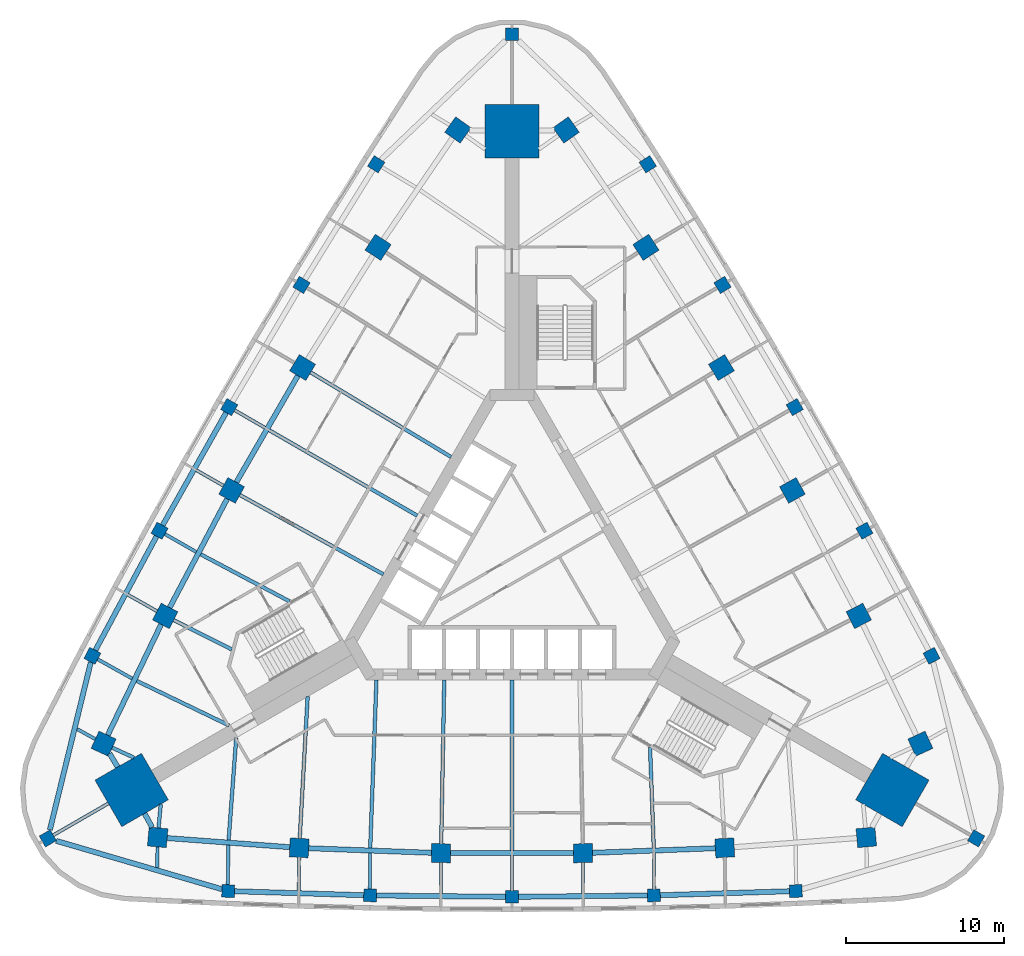
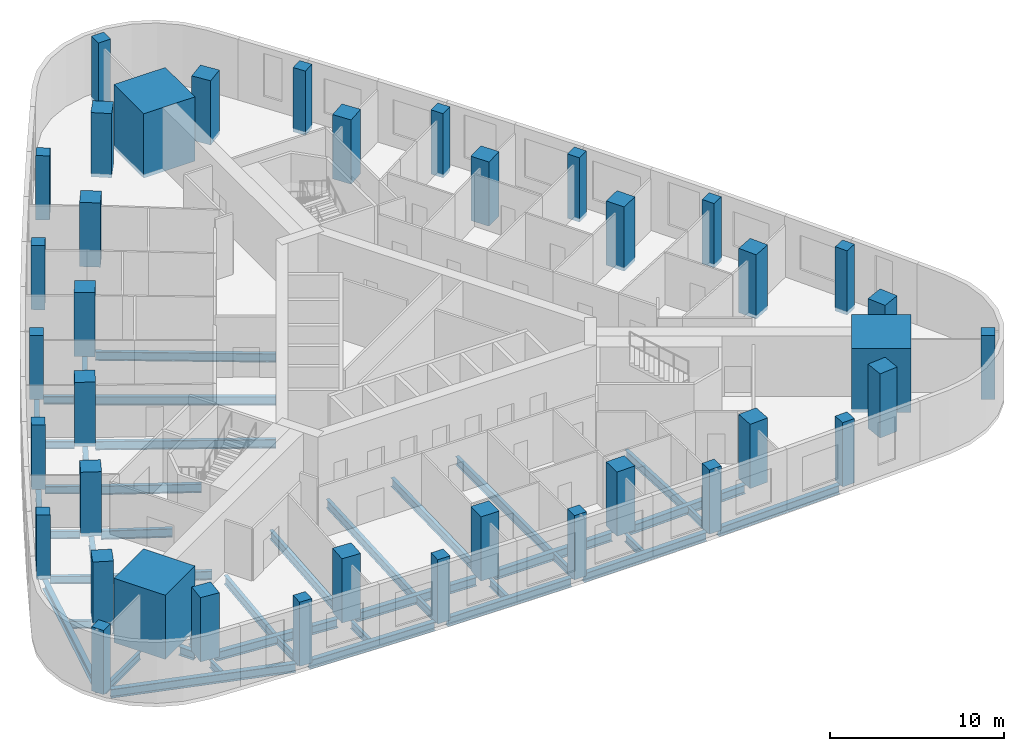
# One storey, part 1 of 11: 46 beams, 39 columns.
"""IFC4 building model written with IfcOpenShell, lengths in metres."""

from ifc_helpers import new_model, si_unit, direction, frame, origin, origin_2d, place, context, subcontext, project, spatial, rectangle, i_section, extrude, material, material_profile, profile_set, type_object, element, save


model = new_model("IFC4")

# Units and contexts
model_context = context("Model", 3, precision=1e-05, world=origin(), true_north=direction((0.0, 1.0)))
body_context = subcontext(model_context, "Body", "Model", "MODEL_VIEW")
ifc_project = project(units=[si_unit("LENGTHUNIT", "METRE"), si_unit("AREAUNIT", "SQUARE_METRE"), si_unit("VOLUMEUNIT", "CUBIC_METRE"), si_unit("PLANEANGLEUNIT", "RADIAN"), si_unit("MASSUNIT", "GRAM", prefix="KILO")], contexts=[model_context])

# Site, building, storey
site_placement = place(None, origin())
site = spatial("IfcSite", under=ifc_project, at=site_placement, CompositionType="ELEMENT")
building_placement = place(site_placement, origin())
building = spatial("IfcBuilding", under=site, at=building_placement, Name="Noor Cloister Tower", CompositionType="ELEMENT")
storey_placement = place(building_placement, frame((0.0, 0.0, 10.5)))
storey = spatial("IfcBuildingStorey", under=building, at=storey_placement, Name="L02", CompositionType="ELEMENT", Elevation=10.5)

# Columns
ifc_material_1 = material(Name="Concrete C80/95", Category="concrete")
ifc_material_profile_1 = material_profile(ifc_material_1, rectangle(XDim=3.39990234375, YDim=3.39990234375, at=origin_2d()), Name="RC 3400x3400")
ifc_profile_set_1 = profile_set([ifc_material_profile_1], Name="Concrete C80/95")
column_type_1 = type_object("IfcColumnType", Name="Corner pier 3400 x 3400 C80/95", PredefinedType="COLUMN", material=ifc_profile_set_1)
for number, where, z_axis, x_axis, name in (
    (1, (0.0, 27.7890625, -0.25), (0.0, 0.0, 1.0), (0.0, 1.0, 0.0), "Corner pier N L02"),
    (2, (-24.06591796875, -13.89453125, -0.25), (0.0, 0.0, 1.0), (-0.866025403784, -0.5, 0.0), "Corner pier SW L02"),
    (3, (24.06591796875, -13.89453125, -0.25), (0.0, 0.0, 1.0), (0.866025403784, -0.5, 0.0), "Corner pier SE L02"),
):
    element("IfcColumn", number, at=place(storey_placement, frame(where, z_axis=z_axis, x_axis=x_axis)), inside=storey, type_object=column_type_1, Name=name, PredefinedType="COLUMN", context=body_context, shape_type="SweptSolid", body=[
        extrude(rectangle(XDim=3.39990234375, YDim=3.39990234375, at=origin_2d()), origin(), (0.0, 0.0, 1.0), 4.5),
    ])
ifc_material_2 = material(Name="Concrete C80/95", Category="concrete")
ifc_material_profile_2 = material_profile(ifc_material_2, rectangle(XDim=1.199951171875, YDim=1.199951171875, at=origin_2d()), Name="Podium column 1200")
ifc_profile_set_2 = profile_set([ifc_material_profile_2], Name="Concrete C80/95")
column_type_2 = type_object("IfcColumnType", Name="Podium column 1200", PredefinedType="COLUMN", material=ifc_profile_set_2)
for number, where, z_axis, x_axis, name in (
    (4, (-3.421142578125, 27.85986328125, -0.25), (0.0, 0.0, 1.0), (-0.815983256934, 0.578075535205, 0.0), "Column NW 00"),
    (5, (-8.474853515625, 20.43798828125, -0.25), (0.0, 0.0, 1.0), (-0.836867705394, 0.547405191489, 0.0), "Column NW 02"),
    (6, (-13.249755859375, 12.833740234375, -0.25), (0.0, 0.0, 1.0), (-0.856599929156, 0.515981163775, 0.0), "Column NW 04"),
    (7, (-17.7392578125, 5.0576171875, -0.25), (0.0, 0.0, 1.0), (-0.875152760281, 0.483846717641, 0.0), "Column NW 06"),
    (8, (-21.937255859375, -2.879638671875, -0.25), (0.0, 0.0, 1.0), (-0.89250065469, 0.451046096733, 0.0), "Column NW 08"),
    (9, (-25.837890625, -10.96728515625, -0.25), (0.0, 0.0, 1.0), (-0.908619727261, 0.417624461966, 0.0), "Column NW 10"),
    (10, (-22.416748046875, -16.892578125, -0.25), (0.0, 0.0, 1.0), (-0.092636470327, -0.995699997171, 0.0), "Column S 00"),
    (11, (-13.46240234375, -17.558349609375, -0.25), (0.0, 0.0, 1.0), (-0.055632949296, -0.998451288222, 0.0), "Column S 02"),
    (12, (-4.489501953125, -17.8916015625, -0.25), (0.0, 0.0, 1.0), (-0.018552831126, -0.999827881416, 0.0), "Column S 04"),
    (13, (4.489501953125, -17.8916015625, -0.25), (0.0, 0.0, 1.0), (0.018552831126, -0.999827881416, 0.0), "Column S 06"),
    (14, (13.46240234375, -17.558349609375, -0.25), (0.0, 0.0, 1.0), (0.055632949296, -0.998451288222, 0.0), "Column S 08"),
    (15, (22.416748046875, -16.892578125, -0.25), (0.0, 0.0, 1.0), (0.092636470327, -0.995699997171, 0.0), "Column S 10"),
    (16, (25.837890625, -10.96728515625, -0.25), (0.0, 0.0, 1.0), (0.908619727261, 0.417624461966, 0.0), "Column NE 00"),
    (17, (21.937255859375, -2.879638671875, -0.25), (0.0, 0.0, 1.0), (0.89250065469, 0.451046096733, 0.0), "Column NE 02"),
    (18, (17.7392578125, 5.0576171875, -0.25), (0.0, 0.0, 1.0), (0.875152760281, 0.483846717641, 0.0), "Column NE 04"),
    (19, (13.249755859375, 12.833740234375, -0.25), (0.0, 0.0, 1.0), (0.856599929156, 0.515981163775, 0.0), "Column NE 06"),
    (20, (8.474853515625, 20.43798828125, -0.25), (0.0, 0.0, 1.0), (0.836867705394, 0.547405191489, 0.0), "Column NE 08"),
    (21, (3.421142578125, 27.85986328125, -0.25), (0.0, 0.0, 1.0), (0.815983256934, 0.578075535205, 0.0), "Column NE 10"),
):
    element("IfcColumn", number, at=place(storey_placement, frame(where, z_axis=z_axis, x_axis=x_axis)), inside=storey, type_object=column_type_2, Name=name, PredefinedType="COLUMN", context=body_context, shape_type="SweptSolid", body=[
        extrude(rectangle(XDim=1.199951171875, YDim=1.199951171875, at=origin_2d()), origin(), (0.0, 0.0, 1.0), 4.5),
    ])
ifc_material_3 = material(Name="Concrete C60/75", Category="concrete")
ifc_material_profile_3 = material_profile(ifc_material_3, rectangle(XDim=0.800048828125, YDim=0.800048828125, at=origin_2d()), Name="Podium column 800")
ifc_profile_set_3 = profile_set([ifc_material_profile_3], Name="Concrete C60/75")
column_type_3 = type_object("IfcColumnType", Name="Podium column 800", PredefinedType="COLUMN", material=ifc_profile_set_3)
for number, where, z_axis, x_axis, name in (
    (22, (0.0, 33.9130859375, -0.25), (0.0, 0.0, 1.0), (0.0, 1.0, 0.0), "Perimeter column N"),
    (23, (-8.59228515625, 25.694580078125, -0.25), (0.0, 0.0, 1.0), (-0.844762079338, 0.535142064607, 0.0), "Perimeter column NW 01"),
    (24, (-13.31982421875, 18.059326171875, -0.25), (0.0, 0.0, 1.0), (-0.855574189811, 0.517680215702, 0.0), "Perimeter column NW 03"),
    (25, (-17.8896484375, 10.32861328125, -0.25), (0.0, 0.0, 1.0), (-0.866025403784, 0.5, 0.0), "Perimeter column NW 05"),
    (26, (-22.2998046875, 2.505615234375, -0.25), (0.0, 0.0, 1.0), (-0.87611131274, 0.482108875348, 0.0), "Perimeter column NW 07"),
    (27, (-26.54833984375, -5.406005859375, -0.25), (0.0, 0.0, 1.0), (-0.885827662253, 0.464014388557, 0.0), "Perimeter column NW 09"),
    (28, (-29.36962890625, -16.95654296875, -0.25), (0.0, 0.0, 1.0), (-0.866025403784, -0.5, 0.0), "Perimeter column SW"),
    (29, (-17.955810546875, -20.288330078125, -0.25), (0.0, 0.0, 1.0), (-0.041065582914, -0.999156453164, 0.0), "Perimeter column S 01"),
    (30, (-8.979736328125, -20.56494140625, -0.25), (0.0, 0.0, 1.0), (-0.020537122929, -0.99978909105, 0.0), "Perimeter column S 03"),
    (31, (0.0, -20.6572265625, -0.25), (0.0, 0.0, 1.0), (0.0, -1.0, 0.0), "Perimeter column S 05"),
    (32, (8.979736328125, -20.56494140625, -0.25), (0.0, 0.0, 1.0), (0.020537122929, -0.99978909105, 0.0), "Perimeter column S 07"),
    (33, (17.955810546875, -20.288330078125, -0.25), (0.0, 0.0, 1.0), (0.041065582914, -0.999156453164, 0.0), "Perimeter column S 09"),
    (34, (29.36962890625, -16.95654296875, -0.25), (0.0, 0.0, 1.0), (0.866025403784, -0.5, 0.0), "Perimeter column SE"),
    (35, (26.54833984375, -5.406005859375, -0.25), (0.0, 0.0, 1.0), (0.885827662253, 0.464014388557, 0.0), "Perimeter column NE 01"),
    (36, (22.2998046875, 2.505615234375, -0.25), (0.0, 0.0, 1.0), (0.87611131274, 0.482108875348, 0.0), "Perimeter column NE 03"),
    (37, (17.8896484375, 10.32861328125, -0.25), (0.0, 0.0, 1.0), (0.866025403784, 0.5, 0.0), "Perimeter column NE 05"),
    (38, (13.31982421875, 18.059326171875, -0.25), (0.0, 0.0, 1.0), (0.855574189811, 0.517680215702, 0.0), "Perimeter column NE 07"),
    (39, (8.59228515625, 25.694580078125, -0.25), (0.0, 0.0, 1.0), (0.844762079338, 0.535142064607, 0.0), "Perimeter column NE 09"),
):
    element("IfcColumn", number, at=place(storey_placement, frame(where, z_axis=z_axis, x_axis=x_axis)), inside=storey, type_object=column_type_3, Name=name, PredefinedType="COLUMN", context=body_context, shape_type="SweptSolid", body=[
        extrude(rectangle(XDim=0.800048828125, YDim=0.800048828125, at=origin_2d()), origin(), (0.0, 0.0, 1.0), 4.5),
    ])

# Beams
ifc_material_4 = material(Name="Steel ASTM A992 Gr 50", Category="steel")
ifc_material_profile_4 = material_profile(ifc_material_4, i_section(OverallWidth=0.324951171875, OverallDepth=0.612060546875, WebThickness=0.0126953125, FlangeThickness=0.01904296875, FilletRadius=0.0126953125, at=origin_2d()), Name="W610x155")
ifc_profile_set_4 = profile_set([ifc_material_profile_4], Name="Steel ASTM A992 Gr 50")
beam_type_1 = type_object("IfcBeamType", Name="Podium column line beam W610x155", PredefinedType="BEAM", material=ifc_profile_set_4)
beam_1_placement = place(storey_placement, frame((-13.5498046875, 12.314208984375, -0.555908203125), z_axis=(-0.499990506207, -0.866030884959, 0.0), x_axis=(0.866030884959, -0.499990506207, 0.0)))
element("IfcBeam", 40, at=beam_1_placement, inside=storey, type_object=beam_type_1, Name="Podium column line beam NW 04 L02", PredefinedType="BEAM", context=body_context, shape_type="SweptSolid", body=[
    extrude(i_section(OverallWidth=0.324951171875, OverallDepth=0.612060546875, WebThickness=0.0126953125, FlangeThickness=0.01904296875, FilletRadius=0.0126953125, at=origin_2d()), origin(), (0.0, 0.0, 1.0), 7.779052734375),
])
for number, where, z_axis, x_axis, name in (
    (41, (-18.019775390625, 4.527099609375, -0.555908203125), (-0.467547366886, -0.883968019624, 0.0), (0.883968019624, -0.467547366886, 0.0), "Podium column line beam NW 06 L02"),
    (42, (-22.197998046875, -3.420166015625, -0.555908203125), (-0.434400589533, -0.900719783181, 0.0), (0.900719783181, -0.434400589533, 0.0), "Podium column line beam NW 08 L02"),
):
    element("IfcBeam", number, at=place(storey_placement, frame(where, z_axis=z_axis, x_axis=x_axis)), inside=storey, type_object=beam_type_1, Name=name, PredefinedType="BEAM", context=body_context, shape_type="SweptSolid", body=[
        extrude(i_section(OverallWidth=0.324951171875, OverallDepth=0.612060546875, WebThickness=0.0126953125, FlangeThickness=0.01904296875, FilletRadius=0.0126953125, at=origin_2d()), origin(), (0.0, 0.0, 1.0), 7.77880859375),
    ])
for number, where, z_axis, x_axis, name in (
    (43, (-21.818359375, -16.93701171875, -0.555908203125), (0.997246218275, -0.074161850945, 0.0), (0.074161850945, 0.997246218275, 0.0), "Podium column line beam S 00 L02"),
    (44, (-12.86279296875, -17.58056640625, -0.555908203125), (0.999311691731, -0.037096398343, 0.0), (0.037096398343, 0.999311691731, 0.0), "Podium column line beam S 02 L02"),
):
    element("IfcBeam", number, at=place(storey_placement, frame(where, z_axis=z_axis, x_axis=x_axis)), inside=storey, type_object=beam_type_1, Name=name, PredefinedType="BEAM", context=body_context, shape_type="SweptSolid", body=[
        extrude(i_section(OverallWidth=0.324951171875, OverallDepth=0.612060546875, WebThickness=0.0126953125, FlangeThickness=0.01904296875, FilletRadius=0.0126953125, at=origin_2d()), origin(), (0.0, 0.0, 1.0), 7.779052734375),
    ])
beam_2_placement = place(storey_placement, frame((-3.889404296875, -17.8916015625, -0.555908203125), z_axis=(1.0, 0.0, 0.0), x_axis=(0.0, 1.0, 0.0)))
element("IfcBeam", 45, at=beam_2_placement, inside=storey, type_object=beam_type_1, Name="Podium column line beam S 04 L02", PredefinedType="BEAM", context=body_context, shape_type="SweptSolid", body=[
    extrude(i_section(OverallWidth=0.324951171875, OverallDepth=0.612060546875, WebThickness=0.0126953125, FlangeThickness=0.01904296875, FilletRadius=0.0126953125, at=origin_2d()), origin(), (0.0, 0.0, 1.0), 7.77880859375),
])
beam_3_placement = place(storey_placement, frame((5.089111328125, -17.869140625, -0.555908203125), z_axis=(0.999311691731, 0.037096398343, 0.0), x_axis=(-0.037096398343, 0.999311691731, 0.0)))
element("IfcBeam", 46, at=beam_3_placement, inside=storey, type_object=beam_type_1, Name="Podium column line beam S 06 L02", PredefinedType="BEAM", context=body_context, shape_type="SweptSolid", body=[
    extrude(i_section(OverallWidth=0.324951171875, OverallDepth=0.612060546875, WebThickness=0.0126953125, FlangeThickness=0.01904296875, FilletRadius=0.0126953125, at=origin_2d()), origin(), (0.0, 0.0, 1.0), 7.779052734375),
])
for number, where, z_axis, x_axis, name in (
    (47, (-25.46240234375, -11.58740234375, -0.555908203125), (0.517698861359, -0.855562907651, 0.0), (0.855562907651, 0.517698861359, 0.0), "Podium end beam NW 10 L02"),
    (48, (-22.76611328125, -16.257568359375, -0.555908203125), (-0.48185292196, 0.876252110753, 0.0), (-0.876252110753, -0.48185292196, 0.0), "Podium end beam S 00 L02"),
):
    element("IfcBeam", number, at=place(storey_placement, frame(where, z_axis=z_axis, x_axis=x_axis)), inside=storey, type_object=beam_type_1, Name=name, PredefinedType="BEAM", context=body_context, shape_type="SweptSolid", body=[
        extrude(i_section(OverallWidth=0.324951171875, OverallDepth=0.612060546875, WebThickness=0.0126953125, FlangeThickness=0.01904296875, FilletRadius=0.0126953125, at=origin_2d()), origin(), (0.0, 0.0, 1.0), 0.99658203125),
    ])
ifc_material_5 = material(Name="Steel ASTM A992 Gr 50", Category="steel")
ifc_material_profile_5 = material_profile(ifc_material_5, i_section(OverallWidth=0.324951171875, OverallDepth=0.616943359375, WebThickness=0.013916015625, FlangeThickness=0.021484375, FilletRadius=0.0126953125, at=origin_2d()), Name="W610x174")
ifc_profile_set_5 = profile_set([ifc_material_profile_5], Name="Steel ASTM A992 Gr 50")
beam_type_2 = type_object("IfcBeamType", Name="Podium perimeter beam W610x174", PredefinedType="BEAM", material=ifc_profile_set_5)
for number, where, z_axis, x_axis, name in (
    (49, (-18.086181640625, 9.980224609375, -0.55859375), (-0.491071539523, -0.871119247331, 0.0), (0.871119247331, -0.491071539523, 0.0), "Podium perimeter beam 04 L02"),
    (50, (-22.489013671875, 2.1533203125, -0.55859375), (-0.47307258725, -0.881023454394, 0.0), (0.881023454394, -0.47307258725, 0.0), "Podium perimeter beam 05 L02"),
):
    element("IfcBeam", number, at=place(storey_placement, frame(where, z_axis=z_axis, x_axis=x_axis)), inside=storey, type_object=beam_type_2, Name=name, PredefinedType="BEAM", context=body_context, shape_type="SweptSolid", body=[
        extrude(i_section(OverallWidth=0.324951171875, OverallDepth=0.616943359375, WebThickness=0.013916015625, FlangeThickness=0.021484375, FilletRadius=0.0126953125, at=origin_2d()), origin(), (0.0, 0.0, 1.0), 8.18017578125),
    ])
for number, where, z_axis, x_axis, name in (
    (51, (-26.64599609375, -5.806396484375, -0.55859375), (-0.237289539542, -0.971438971024, 0.0), (0.971438971024, -0.237289539542, 0.0), "Podium perimeter beam 06 L02"),
    (52, (-28.83837890625, -17.111572265625, -0.55859375), (0.959935397728, -0.280221398522, 0.0), (0.280221398522, 0.959935397728, 0.0), "Podium perimeter beam 07 L02"),
):
    element("IfcBeam", number, at=place(storey_placement, frame(where, z_axis=z_axis, x_axis=x_axis)), inside=storey, type_object=beam_type_2, Name=name, PredefinedType="BEAM", context=body_context, shape_type="SweptSolid", body=[
        extrude(i_section(OverallWidth=0.324951171875, OverallDepth=0.616943359375, WebThickness=0.013916015625, FlangeThickness=0.021484375, FilletRadius=0.0126953125, at=origin_2d()), origin(), (0.0, 0.0, 1.0), 10.924560546875),
    ])
for number, where, z_axis, x_axis, name in (
    (53, (-17.55615234375, -20.30078125, -0.55859375), (0.999525578868, -0.030799629673, 0.0), (0.030799629673, 0.999525578868, 0.0), "Podium perimeter beam 08 L02"),
    (54, (-8.579833984375, -20.569091796875, -0.55859375), (0.999947297246, -0.010266583204, 0.0), (0.010266583204, 0.999947297246, 0.0), "Podium perimeter beam 09 L02"),
    (55, (0.39990234375, -20.653076171875, -0.55859375), (0.999947297246, 0.010266583204, 0.0), (-0.010266583204, 0.999947297246, 0.0), "Podium perimeter beam 10 L02"),
    (56, (9.379638671875, -20.552734375, -0.55859375), (0.999525578868, 0.030799629673, 0.0), (-0.030799629673, 0.999525578868, 0.0), "Podium perimeter beam 11 L02"),
):
    element("IfcBeam", number, at=place(storey_placement, frame(where, z_axis=z_axis, x_axis=x_axis)), inside=storey, type_object=beam_type_2, Name=name, PredefinedType="BEAM", context=body_context, shape_type="SweptSolid", body=[
        extrude(i_section(OverallWidth=0.324951171875, OverallDepth=0.616943359375, WebThickness=0.013916015625, FlangeThickness=0.021484375, FilletRadius=0.0126953125, at=origin_2d()), origin(), (0.0, 0.0, 1.0), 8.180419921875),
    ])
ifc_material_6 = material(Name="Steel ASTM A992 Gr 50", Category="steel")
ifc_material_profile_6 = material_profile(ifc_material_6, i_section(OverallWidth=0.22900390625, OverallDepth=0.612060546875, WebThickness=0.011962890625, FlangeThickness=0.01953125, FilletRadius=0.0126953125, at=origin_2d()), Name="W610x125")
ifc_profile_set_6 = profile_set([ifc_material_profile_6], Name="Steel ASTM A992 Gr 50")
beam_type_3 = type_object("IfcBeamType", Name="Podium radial beam W610x125", PredefinedType="BEAM", material=ifc_profile_set_6)
beam_4_placement = place(storey_placement, frame((-12.73583984375, 12.524169921875, -0.555908203125), z_axis=(0.856606308575, -0.515970572911, 0.0), x_axis=(0.515970572911, 0.856606308575, 0.0)))
element("IfcBeam", 57, at=beam_4_placement, inside=storey, type_object=beam_type_3, Name="Podium radial beam NW 04 L02", PredefinedType="BEAM", context=body_context, shape_type="SweptSolid", body=[
    extrude(i_section(OverallWidth=0.22900390625, OverallDepth=0.612060546875, WebThickness=0.011962890625, FlangeThickness=0.01953125, FilletRadius=0.0126953125, at=origin_2d()), origin(), (0.0, 0.0, 1.0), 10.365234375),
])
beam_5_placement = place(storey_placement, frame((-15.353759765625, 8.864501953125, -0.555908203125), z_axis=(0.866025607992, -0.499999646302, 0.0), x_axis=(0.499999646302, 0.866025607992, 0.0)))
element("IfcBeam", 58, at=beam_5_placement, inside=storey, type_object=beam_type_3, Name="Podium radial beam NW 05 L02", PredefinedType="BEAM", context=body_context, shape_type="SweptSolid", body=[
    extrude(i_section(OverallWidth=0.22900390625, OverallDepth=0.612060546875, WebThickness=0.011962890625, FlangeThickness=0.01953125, FilletRadius=0.0126953125, at=origin_2d()), origin(), (0.0, 0.0, 1.0), 10.80078125),
])
beam_6_placement = place(storey_placement, frame((-17.214111328125, 4.767333984375, -0.555908203125), z_axis=(0.875152039929, -0.483848020568, 0.0), x_axis=(0.483848020568, 0.875152039929, 0.0)))
element("IfcBeam", 59, at=beam_6_placement, inside=storey, type_object=beam_type_3, Name="Podium radial beam NW 06 L02", PredefinedType="BEAM", context=body_context, shape_type="SweptSolid", body=[
    extrude(i_section(OverallWidth=0.22900390625, OverallDepth=0.612060546875, WebThickness=0.011962890625, FlangeThickness=0.01953125, FilletRadius=0.0126953125, at=origin_2d()), origin(), (0.0, 0.0, 1.0), 10.364990234375),
])
beam_7_placement = place(storey_placement, frame((-19.694580078125, 1.01318359375, -0.555908203125), z_axis=(0.883972630555, -0.467538649129, 0.0), x_axis=(0.467538649129, 0.883972630555, 0.0)))
element("IfcBeam", 60, at=beam_7_placement, inside=storey, type_object=beam_type_3, Name="Podium radial beam NW 07 L02", PredefinedType="BEAM", context=body_context, shape_type="SweptSolid", body=[
    extrude(i_section(OverallWidth=0.22900390625, OverallDepth=0.612060546875, WebThickness=0.011962890625, FlangeThickness=0.01953125, FilletRadius=0.0126953125, at=origin_2d()), origin(), (0.0, 0.0, 1.0), 6.36328125),
])
beam_8_placement = place(storey_placement, frame((-21.401611328125, -3.150146484375, -0.555908203125), z_axis=(0.892482631296, -0.451081758481, 0.0), x_axis=(0.451081758481, 0.892482631296, 0.0)))
element("IfcBeam", 61, at=beam_8_placement, inside=storey, type_object=beam_type_3, Name="Podium radial beam NW 08 L02", PredefinedType="BEAM", context=body_context, shape_type="SweptSolid", body=[
    extrude(i_section(OverallWidth=0.22900390625, OverallDepth=0.612060546875, WebThickness=0.011962890625, FlangeThickness=0.01953125, FilletRadius=0.0126953125, at=origin_2d()), origin(), (0.0, 0.0, 1.0), 4.110595703125),
])
beam_9_placement = place(storey_placement, frame((-23.7412109375, -6.993896484375, -0.555908203125), z_axis=(0.900702438264, -0.43443655199, 0.0), x_axis=(0.43443655199, 0.900702438264, 0.0)))
element("IfcBeam", 62, at=beam_9_placement, inside=storey, type_object=beam_type_3, Name="Podium radial beam NW 09 L02", PredefinedType="BEAM", context=body_context, shape_type="SweptSolid", body=[
    extrude(i_section(OverallWidth=0.22900390625, OverallDepth=0.612060546875, WebThickness=0.011962890625, FlangeThickness=0.01953125, FilletRadius=0.0126953125, at=origin_2d()), origin(), (0.0, 0.0, 1.0), 6.489013671875),
])
for number, where, z_axis, x_axis, name in (
    (63, (-25.292724609375, -11.2177734375, -0.555908203125), (0.908602193803, -0.417662607157, 0.0), (0.417662607157, 0.908602193803, 0.0), "Podium radial beam NW 10 L02"),
    (64, (-22.361328125, -16.295166015625, -0.555908203125), (0.09269423525, 0.995694621233, 0.0), (-0.995694621233, 0.09269423525, 0.0), "Podium radial beam S 00 L02"),
):
    element("IfcBeam", number, at=place(storey_placement, frame(where, z_axis=z_axis, x_axis=x_axis)), inside=storey, type_object=beam_type_3, Name=name, PredefinedType="BEAM", context=body_context, shape_type="SweptSolid", body=[
        extrude(i_section(OverallWidth=0.22900390625, OverallDepth=0.612060546875, WebThickness=0.011962890625, FlangeThickness=0.01953125, FilletRadius=0.0126953125, at=origin_2d()), origin(), (0.0, 0.0, 1.0), 1.50927734375),
    ])
beam_10_placement = place(storey_placement, frame((-17.927490234375, -17.0634765625, -0.555908203125), z_axis=(0.074118366359, 0.997249451125, 0.0), x_axis=(-0.997249451125, 0.074118366359, 0.0)))
element("IfcBeam", 65, at=beam_10_placement, inside=storey, type_object=beam_type_3, Name="Podium radial beam S 01 L02", PredefinedType="BEAM", context=body_context, shape_type="SweptSolid", body=[
    extrude(i_section(OverallWidth=0.22900390625, OverallDepth=0.612060546875, WebThickness=0.011962890625, FlangeThickness=0.01953125, FilletRadius=0.0126953125, at=origin_2d()), origin(), (0.0, 0.0, 1.0), 6.489013671875),
])
beam_11_placement = place(storey_placement, frame((-13.428955078125, -16.959228515625, -0.555908203125), z_axis=(0.055623451445, 0.99845181739, 0.0), x_axis=(-0.99845181739, 0.055623451445, 0.0)))
element("IfcBeam", 66, at=beam_11_placement, inside=storey, type_object=beam_type_3, Name="Podium radial beam S 02 L02", PredefinedType="BEAM", context=body_context, shape_type="SweptSolid", body=[
    extrude(i_section(OverallWidth=0.22900390625, OverallDepth=0.612060546875, WebThickness=0.011962890625, FlangeThickness=0.01953125, FilletRadius=0.0126953125, at=origin_2d()), origin(), (0.0, 0.0, 1.0), 8.989013671875),
])
beam_12_placement = place(storey_placement, frame((-8.969970703125, -17.5625, -0.555908203125), z_axis=(0.037097363231, 0.999311655912, 0.0), x_axis=(-0.999311655912, 0.037097363231, 0.0)))
element("IfcBeam", 67, at=beam_12_placement, inside=storey, type_object=beam_type_3, Name="Podium radial beam S 03 L02", PredefinedType="BEAM", context=body_context, shape_type="SweptSolid", body=[
    extrude(i_section(OverallWidth=0.22900390625, OverallDepth=0.612060546875, WebThickness=0.011962890625, FlangeThickness=0.01953125, FilletRadius=0.0126953125, at=origin_2d()), origin(), (0.0, 0.0, 1.0), 10.6416015625),
])
beam_13_placement = place(storey_placement, frame((-4.478515625, -17.29150390625, -0.555908203125), z_axis=(0.018560692037, 0.999827735518, 0.0), x_axis=(-0.999827735518, 0.018560692037, 0.0)))
element("IfcBeam", 68, at=beam_13_placement, inside=storey, type_object=beam_type_3, Name="Podium radial beam S 04 L02", PredefinedType="BEAM", context=body_context, shape_type="SweptSolid", body=[
    extrude(i_section(OverallWidth=0.22900390625, OverallDepth=0.612060546875, WebThickness=0.011962890625, FlangeThickness=0.01953125, FilletRadius=0.0126953125, at=origin_2d()), origin(), (0.0, 0.0, 1.0), 10.364990234375),
])
beam_14_placement = place(storey_placement, frame((0.0, -17.72900390625, -0.555908203125), z_axis=(0.0, 1.0, 0.0), x_axis=(-1.0, 0.0, 0.0)))
element("IfcBeam", 69, at=beam_14_placement, inside=storey, type_object=beam_type_3, Name="Podium radial beam S 05 L02", PredefinedType="BEAM", context=body_context, shape_type="SweptSolid", body=[
    extrude(i_section(OverallWidth=0.22900390625, OverallDepth=0.612060546875, WebThickness=0.011962890625, FlangeThickness=0.01953125, FilletRadius=0.0126953125, at=origin_2d()), origin(), (0.0, 0.0, 1.0), 10.80078125),
])
beam_15_placement = place(storey_placement, frame((8.969970703125, -17.5625, -0.555908203125), z_axis=(-0.037101061142, 0.999311518628, 0.0), x_axis=(-0.999311518628, -0.037101061142, 0.0)))
element("IfcBeam", 70, at=beam_15_placement, inside=storey, type_object=beam_type_3, Name="Podium radial beam S 07 L02", PredefinedType="BEAM", context=body_context, shape_type="SweptSolid", body=[
    extrude(i_section(OverallWidth=0.22900390625, OverallDepth=0.612060546875, WebThickness=0.011962890625, FlangeThickness=0.01953125, FilletRadius=0.0126953125, at=origin_2d()), origin(), (0.0, 0.0, 1.0), 6.36328125),
])
ifc_material_7 = material(Name="Steel ASTM A992 Gr 50", Category="steel")
ifc_material_profile_7 = material_profile(ifc_material_7, i_section(OverallWidth=0.208984375, OverallDepth=0.532958984375, WebThickness=0.01025390625, FlangeThickness=0.015625, FilletRadius=0.0126953125, at=origin_2d()), Name="W530x92")
ifc_profile_set_7 = profile_set([ifc_material_profile_7], Name="Steel ASTM A992 Gr 50")
beam_type_4 = type_object("IfcBeamType", Name="Podium stub beam W530x92", PredefinedType="BEAM", material=ifc_profile_set_7)
beam_16_placement = place(storey_placement, frame((-15.63525390625, 9.027099609375, -0.5166015625), z_axis=(-0.86602503688, 0.500000635496, 0.0), x_axis=(-0.500000635496, -0.86602503688, 0.0)))
element("IfcBeam", 71, at=beam_16_placement, inside=storey, type_object=beam_type_4, Name="Podium stub beam NW 05 L02", PredefinedType="BEAM", context=body_context, shape_type="SweptSolid", body=[
    extrude(i_section(OverallWidth=0.208984375, OverallDepth=0.532958984375, WebThickness=0.01025390625, FlangeThickness=0.015625, FilletRadius=0.0126953125, at=origin_2d()), origin(), (0.0, 0.0, 1.0), 2.203125),
])
beam_17_placement = place(storey_placement, frame((-18.259765625, 5.356201171875, -0.5166015625), z_axis=(-0.867389720101, 0.497629453974, 0.0), x_axis=(-0.497629453974, -0.867389720101, 0.0)))
element("IfcBeam", 72, at=beam_17_placement, inside=storey, type_object=beam_type_4, Name="Podium stub beam NW 06 L02", PredefinedType="BEAM", context=body_context, shape_type="SweptSolid", body=[
    extrude(i_section(OverallWidth=0.208984375, OverallDepth=0.532958984375, WebThickness=0.01025390625, FlangeThickness=0.015625, FilletRadius=0.0126953125, at=origin_2d()), origin(), (0.0, 0.0, 1.0), 1.95703125),
])
beam_18_placement = place(storey_placement, frame((-19.980224609375, 1.16845703125, -0.5166015625), z_axis=(-0.868954795395, 0.494891466446, 0.0), x_axis=(-0.494891466446, -0.868954795395, 0.0)))
element("IfcBeam", 73, at=beam_18_placement, inside=storey, type_object=beam_type_4, Name="Podium stub beam NW 07 L02", PredefinedType="BEAM", context=body_context, shape_type="SweptSolid", body=[
    extrude(i_section(OverallWidth=0.208984375, OverallDepth=0.532958984375, WebThickness=0.01025390625, FlangeThickness=0.015625, FilletRadius=0.0126953125, at=origin_2d()), origin(), (0.0, 0.0, 1.0), 2.277099609375),
])
beam_19_placement = place(storey_placement, frame((-22.460205078125, -2.583984375, -0.5166015625), z_axis=(-0.870610366402, 0.491973159748, 0.0), x_axis=(-0.491973159748, -0.870610366402, 0.0)))
element("IfcBeam", 74, at=beam_19_placement, inside=storey, type_object=beam_type_4, Name="Podium stub beam NW 08 L02", PredefinedType="BEAM", context=body_context, shape_type="SweptSolid", body=[
    extrude(i_section(OverallWidth=0.208984375, OverallDepth=0.532958984375, WebThickness=0.01025390625, FlangeThickness=0.015625, FilletRadius=0.0126953125, at=origin_2d()), origin(), (0.0, 0.0, 1.0), 2.1044921875),
])
beam_20_placement = place(storey_placement, frame((-24.03076171875, -6.84619140625, -0.5166015625), z_axis=(-0.872502684482, 0.488609317933, 0.0), x_axis=(-0.488609317933, -0.872502684482, 0.0)))
element("IfcBeam", 75, at=beam_20_placement, inside=storey, type_object=beam_type_4, Name="Podium stub beam NW 09 L02", PredefinedType="BEAM", context=body_context, shape_type="SweptSolid", body=[
    extrude(i_section(OverallWidth=0.208984375, OverallDepth=0.532958984375, WebThickness=0.01025390625, FlangeThickness=0.015625, FilletRadius=0.0126953125, at=origin_2d()), origin(), (0.0, 0.0, 1.0), 2.499267578125),
])
beam_21_placement = place(storey_placement, frame((-26.3642578125, -10.675537109375, -0.5166015625), z_axis=(-0.874735573686, 0.484600532531, 0.0), x_axis=(-0.484600532531, -0.874735573686, 0.0)))
element("IfcBeam", 76, at=beam_21_placement, inside=storey, type_object=beam_type_4, Name="Podium stub beam NW 10 L02", PredefinedType="BEAM", context=body_context, shape_type="SweptSolid", body=[
    extrude(i_section(OverallWidth=0.208984375, OverallDepth=0.532958984375, WebThickness=0.01025390625, FlangeThickness=0.015625, FilletRadius=0.0126953125, at=origin_2d()), origin(), (0.0, 0.0, 1.0), 1.31298828125),
])
beam_22_placement = place(storey_placement, frame((-22.427490234375, -17.494140625, -0.5166015625), z_axis=(-0.017661803966, -0.999844018175, 0.0), x_axis=(0.999844018175, -0.017661803966, 0.0)))
element("IfcBeam", 77, at=beam_22_placement, inside=storey, type_object=beam_type_4, Name="Podium stub beam S 00 L02", PredefinedType="BEAM", context=body_context, shape_type="SweptSolid", body=[
    extrude(i_section(OverallWidth=0.208984375, OverallDepth=0.532958984375, WebThickness=0.01025390625, FlangeThickness=0.015625, FilletRadius=0.0126953125, at=origin_2d()), origin(), (0.0, 0.0, 1.0), 1.313232421875),
])
beam_23_placement = place(storey_placement, frame((-17.9443359375, -17.38818359375, -0.5166015625), z_axis=(-0.013089929593, -0.999914323201, 0.0), x_axis=(0.999914323201, -0.013089929593, 0.0)))
element("IfcBeam", 78, at=beam_23_placement, inside=storey, type_object=beam_type_4, Name="Podium stub beam S 01 L02", PredefinedType="BEAM", context=body_context, shape_type="SweptSolid", body=[
    extrude(i_section(OverallWidth=0.208984375, OverallDepth=0.532958984375, WebThickness=0.01025390625, FlangeThickness=0.015625, FilletRadius=0.0126953125, at=origin_2d()), origin(), (0.0, 0.0, 1.0), 2.499267578125),
])
beam_24_placement = place(storey_placement, frame((-13.468017578125, -18.158935546875, -0.5166015625), z_axis=(-0.009163285382, -0.999958016219, 0.0), x_axis=(0.999958016219, -0.009163285382, 0.0)))
element("IfcBeam", 79, at=beam_24_placement, inside=storey, type_object=beam_type_4, Name="Podium stub beam S 02 L02", PredefinedType="BEAM", context=body_context, shape_type="SweptSolid", body=[
    extrude(i_section(OverallWidth=0.208984375, OverallDepth=0.532958984375, WebThickness=0.01025390625, FlangeThickness=0.015625, FilletRadius=0.0126953125, at=origin_2d()), origin(), (0.0, 0.0, 1.0), 2.104736328125),
])
beam_25_placement = place(storey_placement, frame((-8.978271484375, -17.887451171875, -0.5166015625), z_axis=(-0.005788925298, -0.999983244032, 0.0), x_axis=(0.999983244032, -0.005788925298, 0.0)))
element("IfcBeam", 80, at=beam_25_placement, inside=storey, type_object=beam_type_4, Name="Podium stub beam S 03 L02", PredefinedType="BEAM", context=body_context, shape_type="SweptSolid", body=[
    extrude(i_section(OverallWidth=0.208984375, OverallDepth=0.532958984375, WebThickness=0.01025390625, FlangeThickness=0.015625, FilletRadius=0.0126953125, at=origin_2d()), origin(), (0.0, 0.0, 1.0), 2.27734375),
])
beam_26_placement = place(storey_placement, frame((-4.4912109375, -18.49169921875, -0.5166015625), z_axis=(-0.002869607648, -0.999995882667, 0.0), x_axis=(0.999995882667, -0.002869607648, 0.0)))
element("IfcBeam", 81, at=beam_26_placement, inside=storey, type_object=beam_type_4, Name="Podium stub beam S 04 L02", PredefinedType="BEAM", context=body_context, shape_type="SweptSolid", body=[
    extrude(i_section(OverallWidth=0.208984375, OverallDepth=0.532958984375, WebThickness=0.01025390625, FlangeThickness=0.015625, FilletRadius=0.0126953125, at=origin_2d()), origin(), (0.0, 0.0, 1.0), 1.956787109375),
])
beam_27_placement = place(storey_placement, frame((0.0, -18.053955078125, -0.5166015625), z_axis=(0.0, -1.0, 0.0), x_axis=(1.0, 0.0, 0.0)))
element("IfcBeam", 82, at=beam_27_placement, inside=storey, type_object=beam_type_4, Name="Podium stub beam S 05 L02", PredefinedType="BEAM", context=body_context, shape_type="SweptSolid", body=[
    extrude(i_section(OverallWidth=0.208984375, OverallDepth=0.532958984375, WebThickness=0.01025390625, FlangeThickness=0.015625, FilletRadius=0.0126953125, at=origin_2d()), origin(), (0.0, 0.0, 1.0), 2.203369140625),
])
beam_28_placement = place(storey_placement, frame((4.4912109375, -18.49169921875, -0.5166015625), z_axis=(0.002869607648, -0.999995882667, 0.0), x_axis=(0.999995882667, 0.002869607648, 0.0)))
element("IfcBeam", 83, at=beam_28_placement, inside=storey, type_object=beam_type_4, Name="Podium stub beam S 06 L02", PredefinedType="BEAM", context=body_context, shape_type="SweptSolid", body=[
    extrude(i_section(OverallWidth=0.208984375, OverallDepth=0.532958984375, WebThickness=0.01025390625, FlangeThickness=0.015625, FilletRadius=0.0126953125, at=origin_2d()), origin(), (0.0, 0.0, 1.0), 1.956787109375),
])
beam_29_placement = place(storey_placement, frame((8.978271484375, -17.887451171875, -0.5166015625), z_axis=(0.005788925298, -0.999983244032, 0.0), x_axis=(0.999983244032, 0.005788925298, 0.0)))
element("IfcBeam", 84, at=beam_29_placement, inside=storey, type_object=beam_type_4, Name="Podium stub beam S 07 L02", PredefinedType="BEAM", context=body_context, shape_type="SweptSolid", body=[
    extrude(i_section(OverallWidth=0.208984375, OverallDepth=0.532958984375, WebThickness=0.01025390625, FlangeThickness=0.015625, FilletRadius=0.0126953125, at=origin_2d()), origin(), (0.0, 0.0, 1.0), 2.27734375),
])
beam_30_placement = place(storey_placement, frame((-25.538330078125, -14.744384765625, -0.5166015625), z_axis=(-0.866001699761, -0.500041054325, 0.0), x_axis=(0.500041054325, -0.866001699761, 0.0)))
element("IfcBeam", 85, at=beam_30_placement, inside=storey, type_object=beam_type_4, Name="Podium corner stub beam SW L02", PredefinedType="BEAM", context=body_context, shape_type="SweptSolid", body=[
    extrude(i_section(OverallWidth=0.208984375, OverallDepth=0.532958984375, WebThickness=0.01025390625, FlangeThickness=0.015625, FilletRadius=0.0126953125, at=origin_2d()), origin(), (0.0, 0.0, 1.0), 4.024169921875),
])

save(model, "model.ifc")
